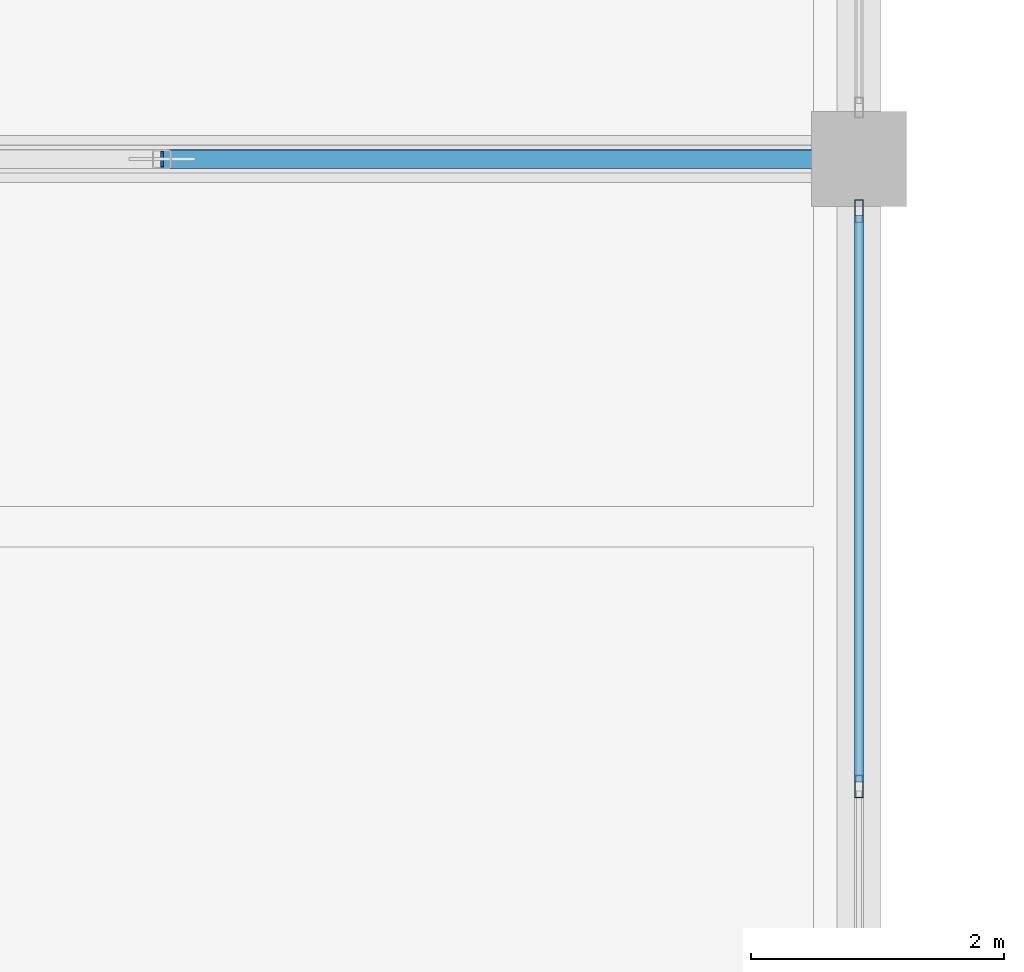
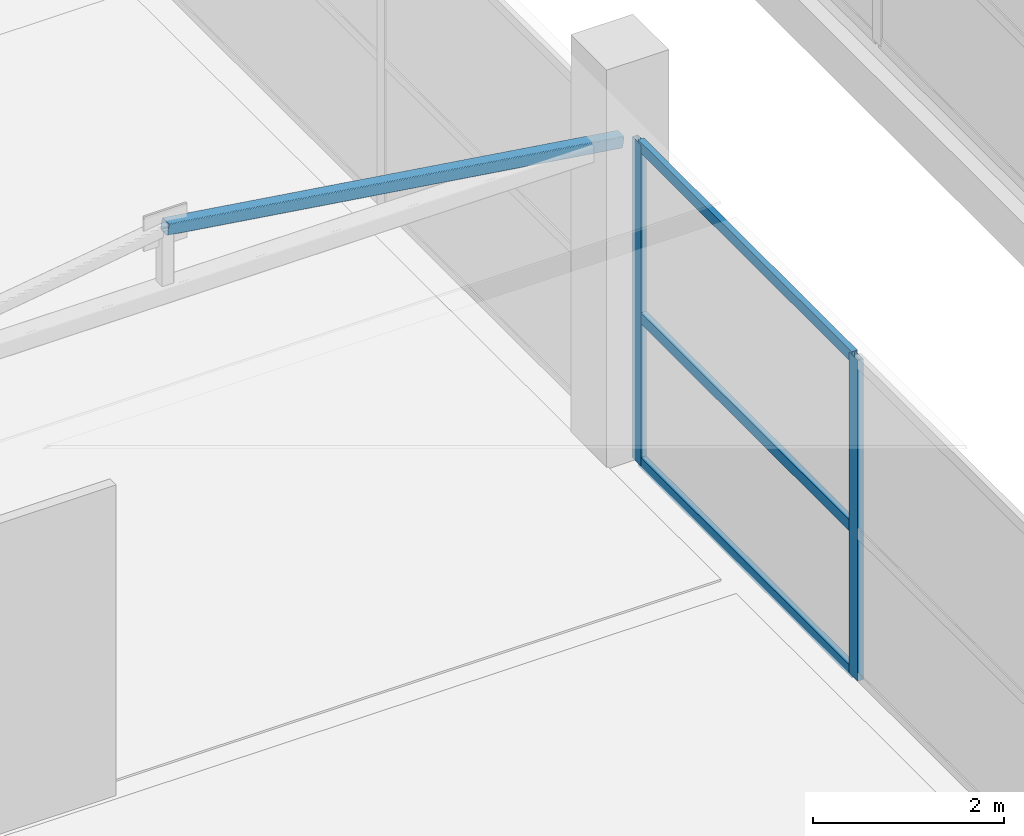
# One storey, part 23 of 67: 6 members, 1 element without a shape of its own.
"""IFC4 building model written with IfcOpenShell, lengths in metres."""

from ifc_helpers import new_model, si_unit, direction, frame, origin, origin_2d, place, context, subcontext, project, spatial, hollow_rectangle, extrude, material, layer, layer_set, material_profile, profile_set, type_object, element, aggregate, save


model = new_model("IFC4")

# Units and contexts
model_context = context("Model", 3, precision=1e-05, world=origin(), true_north=direction((0.0, 1.0)))
body_context = subcontext(model_context, "Body", "Model", "MODEL_VIEW")
ifc_project = project(units=[si_unit("LENGTHUNIT", "METRE"), si_unit("AREAUNIT", "SQUARE_METRE"), si_unit("VOLUMEUNIT", "CUBIC_METRE"), si_unit("PLANEANGLEUNIT", "RADIAN"), si_unit("MASSUNIT", "GRAM", prefix="KILO")], contexts=[model_context])

# Site, building, storey
site_placement = place(None, origin())
site = spatial("IfcSite", under=ifc_project, at=site_placement, CompositionType="ELEMENT")
building_placement = place(site_placement, origin())
building = spatial("IfcBuilding", under=site, at=building_placement, Name="Sillaruma Civic Art Gallery", CompositionType="ELEMENT")
storey_placement = place(building_placement, frame((0.0, 0.0, 46.919921875)))
storey = spatial("IfcBuildingStorey", under=building, at=storey_placement, Name="L09", CompositionType="ELEMENT", Elevation=46.919921875)

# Member
ifc_material_1 = material(Name="Structural Steel ASTM A500 Gr.C", Category="steel")
ifc_material_profile_1 = material_profile(ifc_material_1, hollow_rectangle(XDim=0.14990234375, YDim=0.14990234375, WallThickness=0.010009765625, InnerFilletRadius=0.010009765625, OuterFilletRadius=0.02001953125, at=origin_2d()), Name="HSS150x150x10")
ifc_profile_set_1 = profile_set([ifc_material_profile_1], Name="Structural Steel ASTM A500 Gr.C")
member_type_1 = type_object("IfcMemberType", Name="MEM-BRACE-HSS150x150x10", PredefinedType="BRACE", material=ifc_profile_set_1)
member_1_placement = place(storey_placement, frame((86.5, 59.39990234375, 4.66796875), z_axis=(0.989384036218, 0.0, -0.145324563914), x_axis=(0.0, 1.0, 0.0)))
element("IfcMember", 1, at=member_1_placement, inside=storey, type_object=member_type_1, Name="Warren Truss Diagonal TR-L09-2-D4", PredefinedType="BRACE", context=body_context, shape_type="SweptSolid", body=[
    extrude(hollow_rectangle(XDim=0.14990234375, YDim=0.14990234375, WallThickness=0.010009765625, InnerFilletRadius=0.010009765625, OuterFilletRadius=0.02001953125, at=origin_2d()), origin(), (0.0, 0.0, 1.0), 5.55908203125),
])

# Curtain wall, members
ifc_material_2 = material(Name="Thermally Broken Extruded Aluminium 6063-T6", Category="aluminium")
ifc_layer = layer(ifc_material_2, 0.179931640625, Name="Thermally Broken Extruded Aluminium 6063-T6")
ifc_layer_set = layer_set([ifc_layer], Name="Thermally Broken Extruded Aluminium 6063-T6")
curtain_wall_type = type_object("IfcCurtainWallType", Name="CW-UNI-63", PredefinedType="NOTDEFINED", material=ifc_layer_set)
curtain_wall_placement = place(storey_placement, origin())
curtain_wall = element("IfcCurtainWall", 2, at=curtain_wall_placement, inside=storey, type_object=curtain_wall_type, Name="Unitised Curtain Wall CW-63 (CW-L09-WBE-4)", PredefinedType="NOTDEFINED")
ifc_material_profile_2 = material_profile(ifc_material_2, hollow_rectangle(XDim=0.070068359375, YDim=0.179931640625, WallThickness=0.00390625, at=origin_2d()), Name="CWM70x180")
ifc_profile_set_2 = profile_set([ifc_material_profile_2], Name="Thermally Broken Extruded Aluminium 6063-T6")
member_type_2 = type_object("IfcMemberType", Name="MEM-MUL-CWM70x180", PredefinedType="MULLION", material=ifc_profile_set_2)
member_2_placement = place(storey_placement, frame((92.0, 54.449951171875, 0.0), z_axis=(0.0, 0.0, 1.0), x_axis=(-1.0, 0.0, 0.0)))
member_2 = element("IfcMember", 3, at=member_2_placement, type_object=member_type_2, Name="CW-63 mullion 2", PredefinedType="MULLION", context=body_context, shape_type="SweptSolid", body=[
    extrude(hollow_rectangle(XDim=0.070068359375, YDim=0.179931640625, WallThickness=0.00390625, at=origin_2d()), origin(), (0.0, 0.0, 1.0), 4.10009765625),
])
member_3_placement = place(storey_placement, frame((92.0, 58.989990234375, 0.0), z_axis=(0.0, 0.0, 1.0), x_axis=(-1.0, 0.0, 0.0)))
member_3 = element("IfcMember", 4, at=member_3_placement, type_object=member_type_2, Name="CW-63 mullion 3", PredefinedType="MULLION", context=body_context, shape_type="SweptSolid", body=[
    extrude(hollow_rectangle(XDim=0.070068359375, YDim=0.179931640625, WallThickness=0.00390625, at=origin_2d()), origin(), (0.0, 0.0, 1.0), 4.10009765625),
])
ifc_material_profile_3 = material_profile(ifc_material_2, hollow_rectangle(XDim=0.070068359375, YDim=0.139892578125, WallThickness=0.00390625, at=origin_2d()), Name="CWT70x140")
ifc_profile_set_3 = profile_set([ifc_material_profile_3], Name="Thermally Broken Extruded Aluminium 6063-T6")
member_type_3 = type_object("IfcMemberType", Name="MEM-TRN-CWT70x140", PredefinedType="USERDEFINED", material=ifc_profile_set_3)
member_4_placement = place(storey_placement, frame((92.0, 54.485107421875, 0.03515625), z_axis=(0.0, 1.0, 0.0), x_axis=(-1.0, 0.0, 0.0)))
member_4 = element("IfcMember", 5, at=member_4_placement, type_object=member_type_3, Name="CW-63 transom 2.1", ObjectType="TRANSOM", PredefinedType="USERDEFINED", context=body_context, shape_type="SweptSolid", body=[
    extrude(hollow_rectangle(XDim=0.070068359375, YDim=0.139892578125, WallThickness=0.00390625, at=origin_2d()), origin(), (0.0, 0.0, 1.0), 4.469970703125),
])
member_5_placement = place(storey_placement, frame((92.0, 54.485107421875, 1.885986328125), z_axis=(0.0, 1.0, 0.0), x_axis=(-1.0, 0.0, 0.0)))
member_5 = element("IfcMember", 6, at=member_5_placement, type_object=member_type_3, Name="CW-63 transom 2.2", ObjectType="TRANSOM", PredefinedType="USERDEFINED", context=body_context, shape_type="SweptSolid", body=[
    extrude(hollow_rectangle(XDim=0.070068359375, YDim=0.139892578125, WallThickness=0.00390625, at=origin_2d()), origin(), (0.0, 0.0, 1.0), 4.469970703125),
])
member_6_placement = place(storey_placement, frame((92.0, 54.485107421875, 4.065185546875), z_axis=(0.0, 1.0, 0.0), x_axis=(-1.0, 0.0, 0.0)))
member_6 = element("IfcMember", 7, at=member_6_placement, type_object=member_type_3, Name="CW-63 transom 2.3", ObjectType="TRANSOM", PredefinedType="USERDEFINED", context=body_context, shape_type="SweptSolid", body=[
    extrude(hollow_rectangle(XDim=0.070068359375, YDim=0.139892578125, WallThickness=0.00390625, at=origin_2d()), origin(), (0.0, 0.0, 1.0), 4.469970703125),
])
aggregate(curtain_wall, [member_2, member_3, member_4, member_5, member_6])

save(model, "model.ifc")
